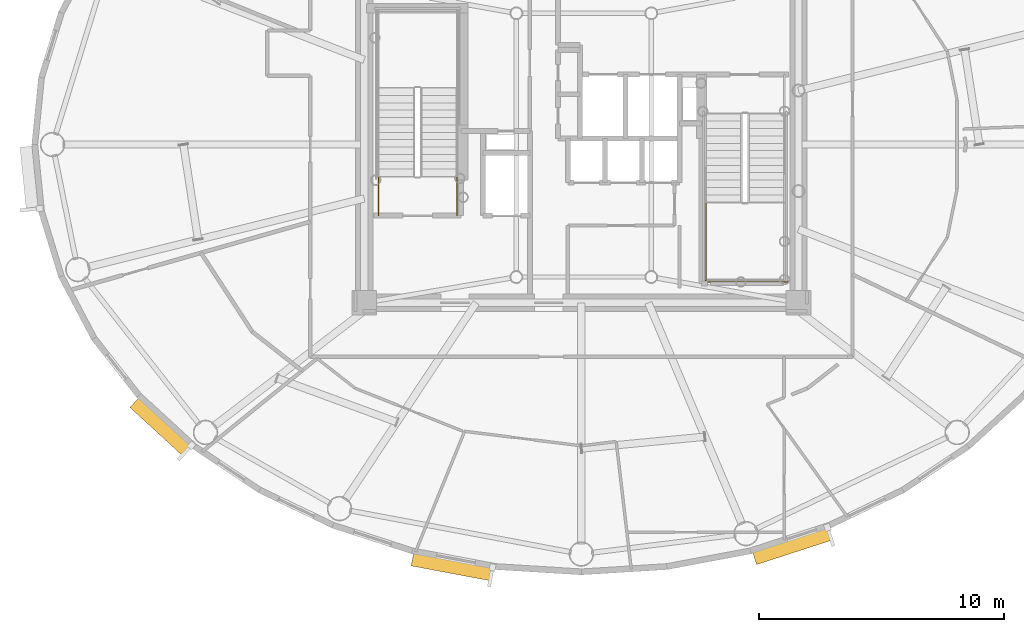
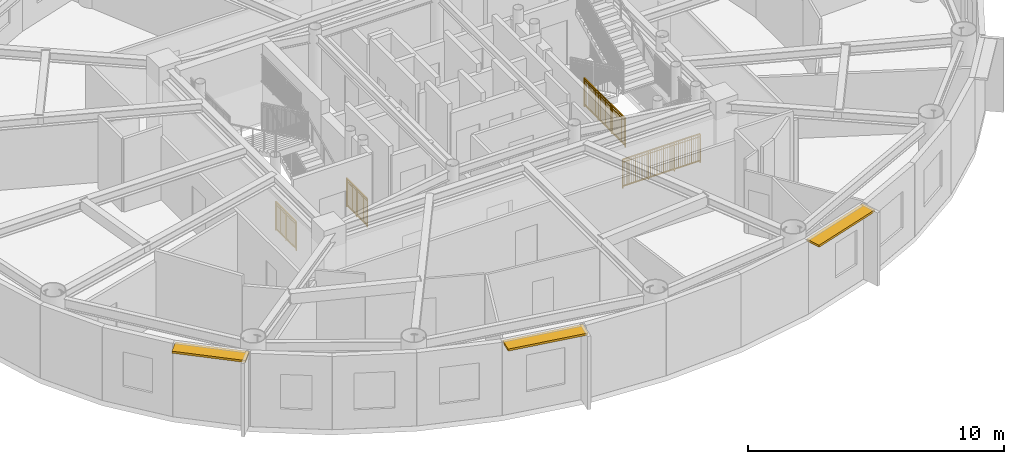
# One storey, part 11 of 16: 4 railings, 3 shading devices.
"""IFC4 building model written with IfcOpenShell, lengths in metres."""

from ifc_helpers import new_model, si_unit, direction, frame, origin, origin_2d, place, context, subcontext, project, spatial, rectangle, extrude, source, transform, mapped, material, layer, layer_set, type_object, element, save


model = new_model("IFC4")

# Units and contexts
model_context = context("Model", 3, precision=1e-05, world=origin(), true_north=direction((0.0, 1.0)))
body_context = subcontext(model_context, "Body", "Model", "MODEL_VIEW")
ifc_project = project(units=[si_unit("LENGTHUNIT", "METRE"), si_unit("AREAUNIT", "SQUARE_METRE"), si_unit("VOLUMEUNIT", "CUBIC_METRE"), si_unit("PLANEANGLEUNIT", "RADIAN"), si_unit("MASSUNIT", "GRAM", prefix="KILO")], contexts=[model_context])

# Site, building, storey
site_placement = place(None, origin())
site = spatial("IfcSite", under=ifc_project, at=site_placement, CompositionType="ELEMENT")
building_placement = place(site_placement, origin())
building = spatial("IfcBuilding", under=site, at=building_placement, Name="Linh Dai School and Residence Tower", CompositionType="ELEMENT")
storey_placement = place(building_placement, frame((0.0, 0.0, 306.75)))
storey = spatial("IfcBuildingStorey", under=building, at=storey_placement, Name="L76", CompositionType="ELEMENT", Elevation=306.75)

# Shading devices
ifc_material_1 = material(Name="Terracotta Ceramic Sunshade", Category="masonry")
ifc_layer = layer(ifc_material_1, 0.10009765625)
ifc_layer_set = layer_set([ifc_layer], Name="Terracotta Ceramic Sunshade")
shading_device_type = type_object("IfcShadingDeviceType", Name="SHD-TC-650", PredefinedType="USERDEFINED", material=ifc_layer_set)
shared_shape_1 = source(origin(), body_context, "Body", "SweptSolid", [
    extrude(rectangle(XDim=2.9541015625, YDim=0.64990234375, at=origin_2d()), origin(), (0.0, 0.0, 1.0), 0.10009765625),
])
shading_device_1_placement = place(storey_placement, frame((18.9111328125, 15.525390625, 3.3798828125), z_axis=(0.0, 0.0, 1.0), x_axis=(-0.737104227651, 0.675779074535, 0.0)))
element("IfcShadingDevice", 1, at=shading_device_1_placement, inside=storey, type_object=shading_device_type, Name="L76 Terracotta Horizontal Sunshade Band 25", ObjectType="SUNSHADE", PredefinedType="USERDEFINED", context=body_context, shape_type="MappedRepresentation", body=[
    mapped(shared_shape_1, transform((0.0, 0.0, 0.0), x_axis=(1.0, 0.0, 0.0), y_axis=(0.0, 1.0, 0.0), z_axis=(0.0, 0.0, 1.0), scale=1.0)),
])
shared_shape_2 = source(origin(), body_context, "Body", "SweptSolid", [
    extrude(rectangle(XDim=3.323486328125, YDim=0.64990234375, at=origin_2d()), origin(), (0.0, 0.0, 1.0), 0.10009765625),
])
shading_device_2_placement = place(storey_placement, frame((30.75732421875, 9.839599609375, 3.3798828125), z_axis=(0.0, 0.0, 1.0), x_axis=(-0.982785325002, 0.184751197452, 0.0)))
element("IfcShadingDevice", 2, at=shading_device_2_placement, inside=storey, type_object=shading_device_type, Name="L76 Terracotta Horizontal Sunshade Band 29", ObjectType="SUNSHADE", PredefinedType="USERDEFINED", context=body_context, shape_type="MappedRepresentation", body=[
    mapped(shared_shape_2, transform((0.0, 0.0, 0.0), x_axis=(1.0, 0.0, 0.0), y_axis=(0.0, 1.0, 0.0), z_axis=(0.0, 0.0, 1.0), scale=1.0)),
])
shared_shape_3 = source(origin(), body_context, "Body", "SweptSolid", [
    extrude(rectangle(XDim=3.26171875, YDim=0.64990234375, at=origin_2d()), origin(), (0.0, 0.0, 1.0), 0.10009765625),
])
shading_device_3_placement = place(storey_placement, frame((44.594970703125, 10.692626953125, 3.3798828125), z_axis=(0.0, 0.0, 1.0), x_axis=(-0.951218243545, -0.308518805176, 0.0)))
element("IfcShadingDevice", 3, at=shading_device_3_placement, inside=storey, type_object=shading_device_type, Name="L76 Terracotta Horizontal Sunshade Band 33", ObjectType="SUNSHADE", PredefinedType="USERDEFINED", context=body_context, shape_type="MappedRepresentation", body=[
    mapped(shared_shape_3, transform((0.0, 0.0, 0.0), x_axis=(1.0, 0.0, 0.0), y_axis=(0.0, 1.0, 0.0), z_axis=(0.0, 0.0, 1.0), scale=1.0)),
])

# Railings
ifc_material_2 = material(Name="Structural Steel S355JR", Category="steel")
railing_type = type_object("IfcRailingType", Name="RL-ST-GUARD-1400", PredefinedType="GUARDRAIL", material=ifc_material_2)
shared_shape_4 = source(origin(), body_context, "Body", "SweptSolid", [
    extrude(rectangle(XDim=0.048095703125, YDim=0.048095703125, at=origin_2d()), frame((0.0, 0.0, 1.3759765625), z_axis=(0.0, 1.0, 0.0), x_axis=(-1.0, 0.0, 0.0)), (0.0, 0.0, 1.0), 1.599853515625),
    extrude(rectangle(XDim=0.048095703125, YDim=0.048095703125, at=origin_2d()), frame((0.0, 0.0, 0.10009765625), z_axis=(0.0, 1.0, 0.0), x_axis=(-1.0, 0.0, 0.0)), (0.0, 0.0, 1.0), 1.599853515625),
    extrude(rectangle(XDim=0.030029296875, YDim=0.030029296875, at=origin_2d()), frame((0.0, 0.0, 1.239990234375), z_axis=(0.0, 1.0, 0.0), x_axis=(-1.0, 0.0, 0.0)), (0.0, 0.0, 1.0), 1.599853515625),
    extrude(rectangle(XDim=0.02001953125, YDim=0.02001953125, at=origin_2d()), frame((0.0, 0.093994140625, 0.10009765625)), (0.0, 0.0, 1.0), 1.251708984375),
    extrude(rectangle(XDim=0.02001953125, YDim=0.02001953125, at=origin_2d()), frame((0.0, 0.188232421875, 0.10009765625)), (0.0, 0.0, 1.0), 1.251708984375),
    extrude(rectangle(XDim=0.02001953125, YDim=0.02001953125, at=origin_2d()), frame((0.0, 0.2822265625, 0.10009765625)), (0.0, 0.0, 1.0), 1.251708984375),
    extrude(rectangle(XDim=0.02001953125, YDim=0.02001953125, at=origin_2d()), frame((0.0, 0.37646484375, 0.10009765625)), (0.0, 0.0, 1.0), 1.251708984375),
    extrude(rectangle(XDim=0.02001953125, YDim=0.02001953125, at=origin_2d()), frame((0.0, 0.470458984375, 0.10009765625)), (0.0, 0.0, 1.0), 1.251708984375),
    extrude(rectangle(XDim=0.02001953125, YDim=0.02001953125, at=origin_2d()), frame((0.0, 0.564697265625, 0.10009765625)), (0.0, 0.0, 1.0), 1.251708984375),
    extrude(rectangle(XDim=0.02001953125, YDim=0.02001953125, at=origin_2d()), frame((0.0, 0.65869140625, 0.10009765625)), (0.0, 0.0, 1.0), 1.251708984375),
    extrude(rectangle(XDim=0.02001953125, YDim=0.02001953125, at=origin_2d()), frame((0.0, 0.7529296875, 0.10009765625)), (0.0, 0.0, 1.0), 1.251708984375),
    extrude(rectangle(XDim=0.02001953125, YDim=0.02001953125, at=origin_2d()), frame((0.0, 0.846923828125, 0.10009765625)), (0.0, 0.0, 1.0), 1.251708984375),
    extrude(rectangle(XDim=0.02001953125, YDim=0.02001953125, at=origin_2d()), frame((0.0, 0.941162109375, 0.10009765625)), (0.0, 0.0, 1.0), 1.251708984375),
    extrude(rectangle(XDim=0.02001953125, YDim=0.02001953125, at=origin_2d()), frame((0.0, 1.03515625, 0.10009765625)), (0.0, 0.0, 1.0), 1.251708984375),
    extrude(rectangle(XDim=0.02001953125, YDim=0.02001953125, at=origin_2d()), frame((0.0, 1.12939453125, 0.10009765625)), (0.0, 0.0, 1.0), 1.251708984375),
    extrude(rectangle(XDim=0.02001953125, YDim=0.02001953125, at=origin_2d()), frame((0.0, 1.223388671875, 0.10009765625)), (0.0, 0.0, 1.0), 1.251708984375),
    extrude(rectangle(XDim=0.02001953125, YDim=0.02001953125, at=origin_2d()), frame((0.0, 1.317626953125, 0.10009765625)), (0.0, 0.0, 1.0), 1.251708984375),
    extrude(rectangle(XDim=0.02001953125, YDim=0.02001953125, at=origin_2d()), frame((0.0, 1.41162109375, 0.10009765625)), (0.0, 0.0, 1.0), 1.251708984375),
    extrude(rectangle(XDim=0.02001953125, YDim=0.02001953125, at=origin_2d()), frame((0.0, 1.505859375, 0.10009765625)), (0.0, 0.0, 1.0), 1.251708984375),
    extrude(rectangle(XDim=0.0419921875, YDim=0.0419921875, at=origin_2d()), origin(), (0.0, 0.0, 1.0), 1.3759765625),
    extrude(rectangle(XDim=0.0419921875, YDim=0.0419921875, at=origin_2d()), frame((0.0, 0.7998046875, 0.0)), (0.0, 0.0, 1.0), 1.3759765625),
    extrude(rectangle(XDim=0.0419921875, YDim=0.0419921875, at=origin_2d()), frame((0.0, 1.599853515625, 0.0)), (0.0, 0.0, 1.0), 1.3759765625),
])
for number, where, name in (
    (4, (30.929931640625, 24.10009765625, 0.0), "L76 ST1 stair guard 8"),
    (5, (27.72998046875, 24.10009765625, 0.0), "L76 ST1 stair guard 9"),
):
    element("IfcRailing", number, at=place(storey_placement, frame(where)), inside=storey, type_object=railing_type, Name=name, PredefinedType="GUARDRAIL", context=body_context, shape_type="MappedRepresentation", body=[
        mapped(shared_shape_4, transform((0.0, 0.0, 0.0), x_axis=(1.0, 0.0, 0.0), y_axis=(0.0, 1.0, 0.0), z_axis=(0.0, 0.0, 1.0), scale=1.0)),
    ])
shared_shape_5 = source(origin(), body_context, "Body", "SweptSolid", [
    extrude(rectangle(XDim=0.048095703125, YDim=0.048095703125, at=origin_2d()), frame((0.0, 0.0, 1.3759765625), z_axis=(1.0, 0.0, 0.0), x_axis=(0.0, 1.0, 0.0)), (0.0, 0.0, 1.0), 3.5),
    extrude(rectangle(XDim=0.048095703125, YDim=0.048095703125, at=origin_2d()), frame((0.0, 0.0, 0.10009765625), z_axis=(1.0, 0.0, 0.0), x_axis=(0.0, 1.0, 0.0)), (0.0, 0.0, 1.0), 3.5),
    extrude(rectangle(XDim=0.030029296875, YDim=0.030029296875, at=origin_2d()), frame((0.0, 0.0, 1.239990234375), z_axis=(1.0, 0.0, 0.0), x_axis=(0.0, 1.0, 0.0)), (0.0, 0.0, 1.0), 3.5),
    extrude(rectangle(XDim=0.02001953125, YDim=0.02001953125, at=origin_2d()), frame((0.09716796875, 0.0, 0.10009765625)), (0.0, 0.0, 1.0), 1.251708984375),
    extrude(rectangle(XDim=0.02001953125, YDim=0.02001953125, at=origin_2d()), frame((0.1943359375, 0.0, 0.10009765625)), (0.0, 0.0, 1.0), 1.251708984375),
    extrude(rectangle(XDim=0.02001953125, YDim=0.02001953125, at=origin_2d()), frame((0.291748046875, 0.0, 0.10009765625)), (0.0, 0.0, 1.0), 1.251708984375),
    extrude(rectangle(XDim=0.02001953125, YDim=0.02001953125, at=origin_2d()), frame((0.388916015625, 0.0, 0.10009765625)), (0.0, 0.0, 1.0), 1.251708984375),
    extrude(rectangle(XDim=0.02001953125, YDim=0.02001953125, at=origin_2d()), frame((0.486083984375, 0.0, 0.10009765625)), (0.0, 0.0, 1.0), 1.251708984375),
    extrude(rectangle(XDim=0.02001953125, YDim=0.02001953125, at=origin_2d()), frame((0.583251953125, 0.0, 0.10009765625)), (0.0, 0.0, 1.0), 1.251708984375),
    extrude(rectangle(XDim=0.02001953125, YDim=0.02001953125, at=origin_2d()), frame((0.6806640625, 0.0, 0.10009765625)), (0.0, 0.0, 1.0), 1.251708984375),
    extrude(rectangle(XDim=0.02001953125, YDim=0.02001953125, at=origin_2d()), frame((0.77783203125, 0.0, 0.10009765625)), (0.0, 0.0, 1.0), 1.251708984375),
    extrude(rectangle(XDim=0.02001953125, YDim=0.02001953125, at=origin_2d()), frame((0.875, 0.0, 0.10009765625)), (0.0, 0.0, 1.0), 1.251708984375),
    extrude(rectangle(XDim=0.02001953125, YDim=0.02001953125, at=origin_2d()), frame((0.97216796875, 0.0, 0.10009765625)), (0.0, 0.0, 1.0), 1.251708984375),
    extrude(rectangle(XDim=0.02001953125, YDim=0.02001953125, at=origin_2d()), frame((1.0693359375, 0.0, 0.10009765625)), (0.0, 0.0, 1.0), 1.251708984375),
    extrude(rectangle(XDim=0.02001953125, YDim=0.02001953125, at=origin_2d()), frame((1.263916015625, 0.0, 0.10009765625)), (0.0, 0.0, 1.0), 1.251708984375),
    extrude(rectangle(XDim=0.02001953125, YDim=0.02001953125, at=origin_2d()), frame((1.361083984375, 0.0, 0.10009765625)), (0.0, 0.0, 1.0), 1.251708984375),
    extrude(rectangle(XDim=0.02001953125, YDim=0.02001953125, at=origin_2d()), frame((1.458251953125, 0.0, 0.10009765625)), (0.0, 0.0, 1.0), 1.251708984375),
    extrude(rectangle(XDim=0.02001953125, YDim=0.02001953125, at=origin_2d()), frame((1.5556640625, 0.0, 0.10009765625)), (0.0, 0.0, 1.0), 1.251708984375),
    extrude(rectangle(XDim=0.02001953125, YDim=0.02001953125, at=origin_2d()), frame((1.65283203125, 0.0, 0.10009765625)), (0.0, 0.0, 1.0), 1.251708984375),
    extrude(rectangle(XDim=0.02001953125, YDim=0.02001953125, at=origin_2d()), frame((1.75, 0.0, 0.10009765625)), (0.0, 0.0, 1.0), 1.251708984375),
    extrude(rectangle(XDim=0.02001953125, YDim=0.02001953125, at=origin_2d()), frame((1.84716796875, 0.0, 0.10009765625)), (0.0, 0.0, 1.0), 1.251708984375),
    extrude(rectangle(XDim=0.02001953125, YDim=0.02001953125, at=origin_2d()), frame((1.9443359375, 0.0, 0.10009765625)), (0.0, 0.0, 1.0), 1.251708984375),
    extrude(rectangle(XDim=0.02001953125, YDim=0.02001953125, at=origin_2d()), frame((2.041748046875, 0.0, 0.10009765625)), (0.0, 0.0, 1.0), 1.251708984375),
    extrude(rectangle(XDim=0.02001953125, YDim=0.02001953125, at=origin_2d()), frame((2.138916015625, 0.0, 0.10009765625)), (0.0, 0.0, 1.0), 1.251708984375),
    extrude(rectangle(XDim=0.02001953125, YDim=0.02001953125, at=origin_2d()), frame((2.236083984375, 0.0, 0.10009765625)), (0.0, 0.0, 1.0), 1.251708984375),
    extrude(rectangle(XDim=0.02001953125, YDim=0.02001953125, at=origin_2d()), frame((2.4306640625, 0.0, 0.10009765625)), (0.0, 0.0, 1.0), 1.251708984375),
    extrude(rectangle(XDim=0.02001953125, YDim=0.02001953125, at=origin_2d()), frame((2.52783203125, 0.0, 0.10009765625)), (0.0, 0.0, 1.0), 1.251708984375),
    extrude(rectangle(XDim=0.02001953125, YDim=0.02001953125, at=origin_2d()), frame((2.625, 0.0, 0.10009765625)), (0.0, 0.0, 1.0), 1.251708984375),
    extrude(rectangle(XDim=0.02001953125, YDim=0.02001953125, at=origin_2d()), frame((2.72216796875, 0.0, 0.10009765625)), (0.0, 0.0, 1.0), 1.251708984375),
    extrude(rectangle(XDim=0.02001953125, YDim=0.02001953125, at=origin_2d()), frame((2.8193359375, 0.0, 0.10009765625)), (0.0, 0.0, 1.0), 1.251708984375),
    extrude(rectangle(XDim=0.02001953125, YDim=0.02001953125, at=origin_2d()), frame((2.916748046875, 0.0, 0.10009765625)), (0.0, 0.0, 1.0), 1.251708984375),
    extrude(rectangle(XDim=0.02001953125, YDim=0.02001953125, at=origin_2d()), frame((3.013916015625, 0.0, 0.10009765625)), (0.0, 0.0, 1.0), 1.251708984375),
    extrude(rectangle(XDim=0.02001953125, YDim=0.02001953125, at=origin_2d()), frame((3.111083984375, 0.0, 0.10009765625)), (0.0, 0.0, 1.0), 1.251708984375),
    extrude(rectangle(XDim=0.02001953125, YDim=0.02001953125, at=origin_2d()), frame((3.208251953125, 0.0, 0.10009765625)), (0.0, 0.0, 1.0), 1.251708984375),
    extrude(rectangle(XDim=0.02001953125, YDim=0.02001953125, at=origin_2d()), frame((3.3056640625, 0.0, 0.10009765625)), (0.0, 0.0, 1.0), 1.251708984375),
    extrude(rectangle(XDim=0.02001953125, YDim=0.02001953125, at=origin_2d()), frame((3.40283203125, 0.0, 0.10009765625)), (0.0, 0.0, 1.0), 1.251708984375),
    extrude(rectangle(XDim=0.0419921875, YDim=0.0419921875, at=origin_2d()), origin(), (0.0, 0.0, 1.0), 1.3759765625),
    extrude(rectangle(XDim=0.0419921875, YDim=0.0419921875, at=origin_2d()), frame((1.166748046875, 0.0, 0.0)), (0.0, 0.0, 1.0), 1.3759765625),
    extrude(rectangle(XDim=0.0419921875, YDim=0.0419921875, at=origin_2d()), frame((2.333251953125, 0.0, 0.0)), (0.0, 0.0, 1.0), 1.3759765625),
    extrude(rectangle(XDim=0.0419921875, YDim=0.0419921875, at=origin_2d()), frame((3.5, 0.0, 0.0)), (0.0, 0.0, 1.0), 1.3759765625),
])
railing_1_placement = place(storey_placement, frame((40.919921875, 21.39990234375, 0.0)))
element("IfcRailing", 6, at=railing_1_placement, inside=storey, type_object=railing_type, Name="L76 ST2 stair guard 12", PredefinedType="GUARDRAIL", context=body_context, shape_type="MappedRepresentation", body=[
    mapped(shared_shape_5, transform((0.0, 0.0, 0.0), x_axis=(1.0, 0.0, 0.0), y_axis=(0.0, 1.0, 0.0), z_axis=(0.0, 0.0, 1.0), scale=1.0)),
])
shared_shape_6 = source(origin(), body_context, "Body", "SweptSolid", [
    extrude(rectangle(XDim=0.048095703125, YDim=0.048095703125, at=origin_2d()), frame((0.0, 0.0, 1.3759765625), z_axis=(0.0, -1.0, 0.0), x_axis=(1.0, 0.0, 0.0)), (0.0, 0.0, 1.0), 3.199951171875),
    extrude(rectangle(XDim=0.048095703125, YDim=0.048095703125, at=origin_2d()), frame((0.0, 0.0, 0.10009765625), z_axis=(0.0, -1.0, 0.0), x_axis=(1.0, 0.0, 0.0)), (0.0, 0.0, 1.0), 3.199951171875),
    extrude(rectangle(XDim=0.030029296875, YDim=0.030029296875, at=origin_2d()), frame((0.0, 0.0, 1.239990234375), z_axis=(0.0, -1.0, 0.0), x_axis=(1.0, 0.0, 0.0)), (0.0, 0.0, 1.0), 3.199951171875),
    extrude(rectangle(XDim=0.02001953125, YDim=0.02001953125, at=origin_2d()), frame((0.0, -0.096923828125, 0.10009765625)), (0.0, 0.0, 1.0), 1.251708984375),
    extrude(rectangle(XDim=0.02001953125, YDim=0.02001953125, at=origin_2d()), frame((0.0, -0.19384765625, 0.10009765625)), (0.0, 0.0, 1.0), 1.251708984375),
    extrude(rectangle(XDim=0.02001953125, YDim=0.02001953125, at=origin_2d()), frame((0.0, -0.291015625, 0.10009765625)), (0.0, 0.0, 1.0), 1.251708984375),
    extrude(rectangle(XDim=0.02001953125, YDim=0.02001953125, at=origin_2d()), frame((0.0, -0.387939453125, 0.10009765625)), (0.0, 0.0, 1.0), 1.251708984375),
    extrude(rectangle(XDim=0.02001953125, YDim=0.02001953125, at=origin_2d()), frame((0.0, -0.48486328125, 0.10009765625)), (0.0, 0.0, 1.0), 1.251708984375),
    extrude(rectangle(XDim=0.02001953125, YDim=0.02001953125, at=origin_2d()), frame((0.0, -0.581787109375, 0.10009765625)), (0.0, 0.0, 1.0), 1.251708984375),
    extrude(rectangle(XDim=0.02001953125, YDim=0.02001953125, at=origin_2d()), frame((0.0, -0.6787109375, 0.10009765625)), (0.0, 0.0, 1.0), 1.251708984375),
    extrude(rectangle(XDim=0.02001953125, YDim=0.02001953125, at=origin_2d()), frame((0.0, -0.775634765625, 0.10009765625)), (0.0, 0.0, 1.0), 1.251708984375),
    extrude(rectangle(XDim=0.02001953125, YDim=0.02001953125, at=origin_2d()), frame((0.0, -0.872802734375, 0.10009765625)), (0.0, 0.0, 1.0), 1.251708984375),
    extrude(rectangle(XDim=0.02001953125, YDim=0.02001953125, at=origin_2d()), frame((0.0, -0.9697265625, 0.10009765625)), (0.0, 0.0, 1.0), 1.251708984375),
    extrude(rectangle(XDim=0.02001953125, YDim=0.02001953125, at=origin_2d()), frame((0.0, -1.16357421875, 0.10009765625)), (0.0, 0.0, 1.0), 1.251708984375),
    extrude(rectangle(XDim=0.02001953125, YDim=0.02001953125, at=origin_2d()), frame((0.0, -1.260498046875, 0.10009765625)), (0.0, 0.0, 1.0), 1.251708984375),
    extrude(rectangle(XDim=0.02001953125, YDim=0.02001953125, at=origin_2d()), frame((0.0, -1.357666015625, 0.10009765625)), (0.0, 0.0, 1.0), 1.251708984375),
    extrude(rectangle(XDim=0.02001953125, YDim=0.02001953125, at=origin_2d()), frame((0.0, -1.45458984375, 0.10009765625)), (0.0, 0.0, 1.0), 1.251708984375),
    extrude(rectangle(XDim=0.02001953125, YDim=0.02001953125, at=origin_2d()), frame((0.0, -1.551513671875, 0.10009765625)), (0.0, 0.0, 1.0), 1.251708984375),
    extrude(rectangle(XDim=0.02001953125, YDim=0.02001953125, at=origin_2d()), frame((0.0, -1.6484375, 0.10009765625)), (0.0, 0.0, 1.0), 1.251708984375),
    extrude(rectangle(XDim=0.02001953125, YDim=0.02001953125, at=origin_2d()), frame((0.0, -1.745361328125, 0.10009765625)), (0.0, 0.0, 1.0), 1.251708984375),
    extrude(rectangle(XDim=0.02001953125, YDim=0.02001953125, at=origin_2d()), frame((0.0, -1.84228515625, 0.10009765625)), (0.0, 0.0, 1.0), 1.251708984375),
    extrude(rectangle(XDim=0.02001953125, YDim=0.02001953125, at=origin_2d()), frame((0.0, -1.939453125, 0.10009765625)), (0.0, 0.0, 1.0), 1.251708984375),
    extrude(rectangle(XDim=0.02001953125, YDim=0.02001953125, at=origin_2d()), frame((0.0, -2.036376953125, 0.10009765625)), (0.0, 0.0, 1.0), 1.251708984375),
    extrude(rectangle(XDim=0.02001953125, YDim=0.02001953125, at=origin_2d()), frame((0.0, -2.230224609375, 0.10009765625)), (0.0, 0.0, 1.0), 1.251708984375),
    extrude(rectangle(XDim=0.02001953125, YDim=0.02001953125, at=origin_2d()), frame((0.0, -2.3271484375, 0.10009765625)), (0.0, 0.0, 1.0), 1.251708984375),
    extrude(rectangle(XDim=0.02001953125, YDim=0.02001953125, at=origin_2d()), frame((0.0, -2.42431640625, 0.10009765625)), (0.0, 0.0, 1.0), 1.251708984375),
    extrude(rectangle(XDim=0.02001953125, YDim=0.02001953125, at=origin_2d()), frame((0.0, -2.521240234375, 0.10009765625)), (0.0, 0.0, 1.0), 1.251708984375),
    extrude(rectangle(XDim=0.02001953125, YDim=0.02001953125, at=origin_2d()), frame((0.0, -2.6181640625, 0.10009765625)), (0.0, 0.0, 1.0), 1.251708984375),
    extrude(rectangle(XDim=0.02001953125, YDim=0.02001953125, at=origin_2d()), frame((0.0, -2.715087890625, 0.10009765625)), (0.0, 0.0, 1.0), 1.251708984375),
    extrude(rectangle(XDim=0.02001953125, YDim=0.02001953125, at=origin_2d()), frame((0.0, -2.81201171875, 0.10009765625)), (0.0, 0.0, 1.0), 1.251708984375),
    extrude(rectangle(XDim=0.02001953125, YDim=0.02001953125, at=origin_2d()), frame((0.0, -2.908935546875, 0.10009765625)), (0.0, 0.0, 1.0), 1.251708984375),
    extrude(rectangle(XDim=0.02001953125, YDim=0.02001953125, at=origin_2d()), frame((0.0, -3.006103515625, 0.10009765625)), (0.0, 0.0, 1.0), 1.251708984375),
    extrude(rectangle(XDim=0.02001953125, YDim=0.02001953125, at=origin_2d()), frame((0.0, -3.10302734375, 0.10009765625)), (0.0, 0.0, 1.0), 1.251708984375),
    extrude(rectangle(XDim=0.0419921875, YDim=0.0419921875, at=origin_2d()), origin(), (0.0, 0.0, 1.0), 1.3759765625),
    extrude(rectangle(XDim=0.0419921875, YDim=0.0419921875, at=origin_2d()), frame((0.0, -1.066650390625, 0.0)), (0.0, 0.0, 1.0), 1.3759765625),
    extrude(rectangle(XDim=0.0419921875, YDim=0.0419921875, at=origin_2d()), frame((0.0, -2.13330078125, 0.0)), (0.0, 0.0, 1.0), 1.3759765625),
    extrude(rectangle(XDim=0.0419921875, YDim=0.0419921875, at=origin_2d()), frame((0.0, -3.199951171875, 0.0)), (0.0, 0.0, 1.0), 1.3759765625),
])
railing_2_placement = place(storey_placement, frame((41.070068359375, 24.64990234375, 1.875)))
element("IfcRailing", 7, at=railing_2_placement, inside=storey, type_object=railing_type, Name="L76 ST2 stair guard 3", PredefinedType="GUARDRAIL", context=body_context, shape_type="MappedRepresentation", body=[
    mapped(shared_shape_6, transform((0.0, 0.0, 0.0), x_axis=(1.0, 0.0, 0.0), y_axis=(0.0, 1.0, 0.0), z_axis=(0.0, 0.0, 1.0), scale=1.0)),
])

save(model, "model.ifc")
